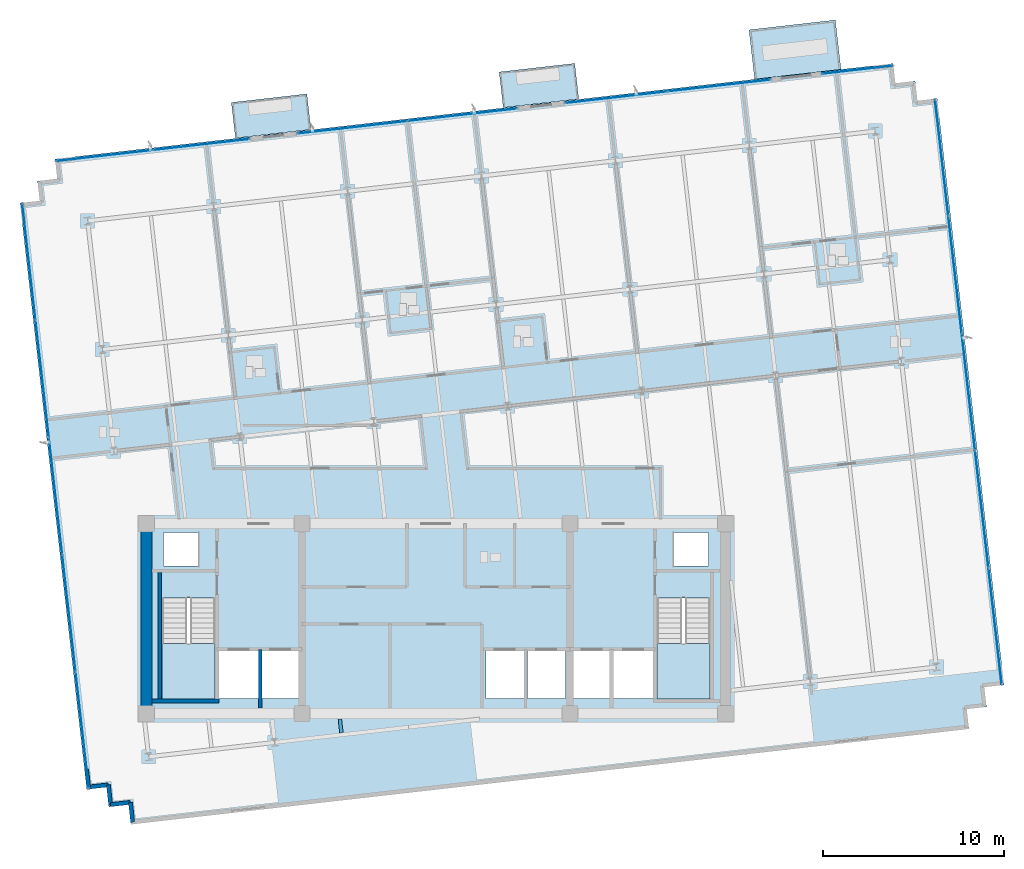
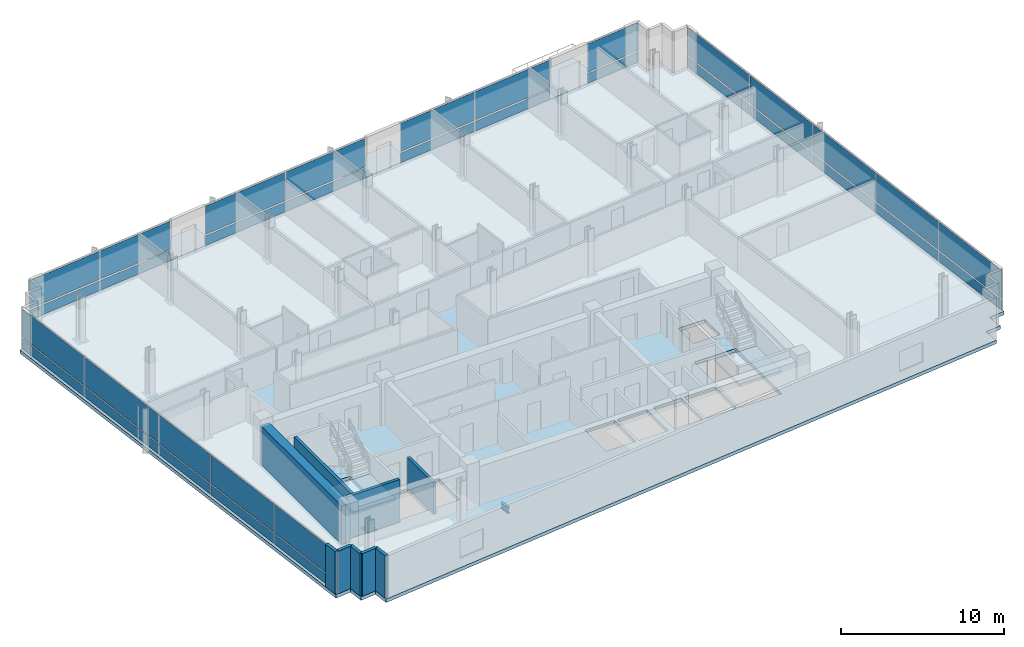
# One storey, part 8 of 16: 34 plates, 9 walls, 6 slabs, 1 beam, 8 elements without a shape of their own.
"""IFC4 building model written with IfcOpenShell, lengths in metres."""

from ifc_helpers import new_model, si_unit, direction, frame, frame_2d, origin, origin_2d, place, context, subcontext, project, spatial, polyline, rectangle, i_section, outline, extrude, material, layer, layer_set, material_profile, profile_set, type_object, element, aggregate, save


model = new_model("IFC4")

# Units and contexts
model_context = context("Model", 3, precision=1e-05, world=origin(), true_north=direction((0.0, 1.0)))
body_context = subcontext(model_context, "Body", "Model", "MODEL_VIEW")
ifc_project = project(units=[si_unit("LENGTHUNIT", "METRE"), si_unit("AREAUNIT", "SQUARE_METRE"), si_unit("VOLUMEUNIT", "CUBIC_METRE"), si_unit("PLANEANGLEUNIT", "RADIAN"), si_unit("MASSUNIT", "GRAM", prefix="KILO")], contexts=[model_context])

# Site, building, storey
site_placement = place(None, origin())
site = spatial("IfcSite", under=ifc_project, at=site_placement, CompositionType="ELEMENT")
building_placement = place(site_placement, origin())
building = spatial("IfcBuilding", under=site, at=building_placement, Name="Solmavex Isthmus Hotel", CompositionType="ELEMENT")
storey_placement = place(building_placement, frame((0.0, 0.0, 215.85009765625)))
storey = spatial("IfcBuildingStorey", under=building, at=storey_placement, Name="L58", CompositionType="ELEMENT", Elevation=215.85009765625)

# Beam
ifc_material_1 = material(Name="Steel ASTM A992 Grade 50", Category="steel")
ifc_material_profile = material_profile(ifc_material_1, i_section(OverallWidth=0.1904296875, OverallDepth=0.456787109375, WebThickness=0.009033203125, FlangeThickness=0.014404296875, FilletRadius=0.0126953125, at=origin_2d()), Name="W18X50")
ifc_profile_set = profile_set([ifc_material_profile], Name="Steel ASTM A992 Grade 50")
beam_type = type_object("IfcBeamType", Name="BM-BJ-W18X50", PredefinedType="JOIST", material=ifc_profile_set)
beam_placement = place(storey_placement, frame((-5.2236328125, -14.05419921875, -0.488525390625), z_axis=(-0.112902470797, 0.993606074905, 0.0), x_axis=(-0.993606074905, -0.112902470797, 0.0)))
element("IfcBeam", 1, at=beam_placement, inside=storey, type_object=beam_type, Name="Secondary Floor Joist L58-J05", PredefinedType="JOIST", context=body_context, shape_type="SweptSolid", body=[
    extrude(i_section(OverallWidth=0.1904296875, OverallDepth=0.456787109375, WebThickness=0.009033203125, FlangeThickness=0.014404296875, FilletRadius=0.0126953125, at=origin_2d()), origin(), (0.0, 0.0, 1.0), 0.759033203125),
])

# Curtain wall, plates
ifc_material_2 = material(Name="Aluminium alloy 6063-T6", Category="aluminium")
curtain_wall_type = type_object("IfcCurtainWallType", Name="CW-SYS-06", PredefinedType="NOTDEFINED", material=ifc_material_2)
curtain_wall_1_placement = place(storey_placement, origin())
curtain_wall_1 = element("IfcCurtainWall", 2, at=curtain_wall_1_placement, inside=storey, type_object=curtain_wall_type, Name="Stick Curtain Wall CWL-L58-N1", PredefinedType="NOTDEFINED")
ifc_material_3 = material(Name="Clear low-E laminated glass", Category="glass")
ifc_layer_1 = layer(ifc_material_3, 0.028076171875)
ifc_layer_set_1 = layer_set([ifc_layer_1], Name="Clear low-E laminated glass")
plate_type = type_object("IfcPlateType", Name="CW-SYS-06-PNL", PredefinedType="CURTAIN_PANEL", material=ifc_layer_set_1)
plate_1_placement = place(storey_placement, frame((-18.32568359375, 17.83251953125, 0.114990234375), z_axis=(0.0, 0.0, 1.0), x_axis=(0.993571901125, 0.113202814871, 0.0)))
plate_1 = element("IfcPlate", 3, at=plate_1_placement, type_object=plate_type, Name="CW-06 panel 1.1", PredefinedType="CURTAIN_PANEL", context=body_context, shape_type="SweptSolid", body=[
    extrude(rectangle(XDim=5.325439453125, YDim=0.028076171875, at=origin_2d()), origin(), (0.0, 0.0, 1.0), 0.7275390625),
])
plate_2_placement = place(storey_placement, frame((-18.32568359375, 17.83251953125, 0.95751953125), z_axis=(0.0, 0.0, 1.0), x_axis=(0.993571901125, 0.113202814871, 0.0)))
plate_2 = element("IfcPlate", 4, at=plate_2_placement, type_object=plate_type, Name="CW-06 panel 1.2", PredefinedType="CURTAIN_PANEL", context=body_context, shape_type="SweptSolid", body=[
    extrude(rectangle(XDim=5.325439453125, YDim=0.028076171875, at=origin_2d()), origin(), (0.0, 0.0, 1.0), 2.117431640625),
])
plate_3_placement = place(storey_placement, frame((-12.974853515625, 18.442138671875, 0.114990234375), z_axis=(0.0, 0.0, 1.0), x_axis=(0.993571901125, 0.113202814871, 0.0)))
plate_3 = element("IfcPlate", 5, at=plate_3_placement, type_object=plate_type, Name="CW-06 panel 2.1", PredefinedType="CURTAIN_PANEL", context=body_context, shape_type="SweptSolid", body=[
    extrude(rectangle(XDim=5.325439453125, YDim=0.028076171875, at=origin_2d()), origin(), (0.0, 0.0, 1.0), 0.7275390625),
])
plate_4_placement = place(storey_placement, frame((-12.974853515625, 18.442138671875, 0.95751953125), z_axis=(0.0, 0.0, 1.0), x_axis=(0.993571901125, 0.113202814871, 0.0)))
plate_4 = element("IfcPlate", 6, at=plate_4_placement, type_object=plate_type, Name="CW-06 panel 2.2", PredefinedType="CURTAIN_PANEL", context=body_context, shape_type="SweptSolid", body=[
    extrude(rectangle(XDim=5.325439453125, YDim=0.028076171875, at=origin_2d()), origin(), (0.0, 0.0, 1.0), 2.117431640625),
])
aggregate(curtain_wall_1, [plate_1, plate_2, plate_3, plate_4])

curtain_wall_2_placement = place(storey_placement, origin())
curtain_wall_2 = element("IfcCurtainWall", 7, at=curtain_wall_2_placement, inside=storey, type_object=curtain_wall_type, Name="Stick Curtain Wall CWL-L58-N2", PredefinedType="NOTDEFINED")
plate_5_placement = place(storey_placement, frame((-4.6181640625, 19.394287109375, 0.114990234375), z_axis=(0.0, 0.0, 1.0), x_axis=(0.993571896348, 0.113202856801, 0.0)))
plate_5 = element("IfcPlate", 8, at=plate_5_placement, type_object=plate_type, Name="CW-06 panel 1.1", PredefinedType="CURTAIN_PANEL", context=body_context, shape_type="SweptSolid", body=[
    extrude(rectangle(XDim=6.055908203125, YDim=0.028076171875, at=origin_2d()), origin(), (0.0, 0.0, 1.0), 0.7275390625),
])
plate_6_placement = place(storey_placement, frame((-4.6181640625, 19.394287109375, 0.95751953125), z_axis=(0.0, 0.0, 1.0), x_axis=(0.993571896348, 0.113202856801, 0.0)))
plate_6 = element("IfcPlate", 9, at=plate_6_placement, type_object=plate_type, Name="CW-06 panel 1.2", PredefinedType="CURTAIN_PANEL", context=body_context, shape_type="SweptSolid", body=[
    extrude(rectangle(XDim=6.055908203125, YDim=0.028076171875, at=origin_2d()), origin(), (0.0, 0.0, 1.0), 2.117431640625),
])
plate_7_placement = place(storey_placement, frame((1.45849609375, 20.086669921875, 0.114990234375), z_axis=(0.0, 0.0, 1.0), x_axis=(0.993571896348, 0.113202856801, 0.0)))
plate_7 = element("IfcPlate", 10, at=plate_7_placement, type_object=plate_type, Name="CW-06 panel 2.1", PredefinedType="CURTAIN_PANEL", context=body_context, shape_type="SweptSolid", body=[
    extrude(rectangle(XDim=6.055908203125, YDim=0.028076171875, at=origin_2d()), origin(), (0.0, 0.0, 1.0), 0.7275390625),
])
plate_8_placement = place(storey_placement, frame((1.45849609375, 20.086669921875, 0.95751953125), z_axis=(0.0, 0.0, 1.0), x_axis=(0.993571896348, 0.113202856801, 0.0)))
plate_8 = element("IfcPlate", 11, at=plate_8_placement, type_object=plate_type, Name="CW-06 panel 2.2", PredefinedType="CURTAIN_PANEL", context=body_context, shape_type="SweptSolid", body=[
    extrude(rectangle(XDim=6.055908203125, YDim=0.028076171875, at=origin_2d()), origin(), (0.0, 0.0, 1.0), 2.117431640625),
])
aggregate(curtain_wall_2, [plate_5, plate_6, plate_7, plate_8])

curtain_wall_3_placement = place(storey_placement, origin())
curtain_wall_3 = element("IfcCurtainWall", 12, at=curtain_wall_3_placement, inside=storey, type_object=curtain_wall_type, Name="Stick Curtain Wall CWL-L58-N3", PredefinedType="NOTDEFINED")
plate_9_placement = place(storey_placement, frame((9.975830078125, 21.056884765625, 0.114990234375), z_axis=(0.0, 0.0, 1.0), x_axis=(0.993571883189, 0.113202972293, 0.0)))
plate_9 = element("IfcPlate", 13, at=plate_9_placement, type_object=plate_type, Name="CW-06 panel 1.1", PredefinedType="CURTAIN_PANEL", context=body_context, shape_type="SweptSolid", body=[
    extrude(rectangle(XDim=5.6484375, YDim=0.028076171875, at=origin_2d()), origin(), (0.0, 0.0, 1.0), 0.7275390625),
])
plate_10_placement = place(storey_placement, frame((9.975830078125, 21.056884765625, 0.95751953125), z_axis=(0.0, 0.0, 1.0), x_axis=(0.993571883189, 0.113202972293, 0.0)))
plate_10 = element("IfcPlate", 14, at=plate_10_placement, type_object=plate_type, Name="CW-06 panel 1.2", PredefinedType="CURTAIN_PANEL", context=body_context, shape_type="SweptSolid", body=[
    extrude(rectangle(XDim=5.6484375, YDim=0.028076171875, at=origin_2d()), origin(), (0.0, 0.0, 1.0), 2.117431640625),
])
plate_11_placement = place(storey_placement, frame((15.6474609375, 21.703125, 0.114990234375), z_axis=(0.0, 0.0, 1.0), x_axis=(0.993571883189, 0.113202972293, 0.0)))
plate_11 = element("IfcPlate", 15, at=plate_11_placement, type_object=plate_type, Name="CW-06 panel 2.1", PredefinedType="CURTAIN_PANEL", context=body_context, shape_type="SweptSolid", body=[
    extrude(rectangle(XDim=5.6484375, YDim=0.028076171875, at=origin_2d()), origin(), (0.0, 0.0, 1.0), 0.7275390625),
])
plate_12_placement = place(storey_placement, frame((15.6474609375, 21.703125, 0.95751953125), z_axis=(0.0, 0.0, 1.0), x_axis=(0.993571883189, 0.113202972293, 0.0)))
plate_12 = element("IfcPlate", 16, at=plate_12_placement, type_object=plate_type, Name="CW-06 panel 2.2", PredefinedType="CURTAIN_PANEL", context=body_context, shape_type="SweptSolid", body=[
    extrude(rectangle(XDim=5.6484375, YDim=0.028076171875, at=origin_2d()), origin(), (0.0, 0.0, 1.0), 2.117431640625),
])
aggregate(curtain_wall_3, [plate_9, plate_10, plate_11, plate_12])

curtain_wall_4_placement = place(storey_placement, origin())
curtain_wall_4 = element("IfcCurtainWall", 17, at=curtain_wall_4_placement, inside=storey, type_object=curtain_wall_type, Name="Stick Curtain Wall CWL-L58-N4", PredefinedType="NOTDEFINED")
plate_13_placement = place(storey_placement, frame((23.282470703125, 22.572998046875, 0.114990234375), z_axis=(0.0, 0.0, 1.0), x_axis=(0.993571663026, 0.113204904629, 0.0)))
plate_13 = element("IfcPlate", 18, at=plate_13_placement, type_object=plate_type, Name="CW-06 panel 1.1", PredefinedType="CURTAIN_PANEL", context=body_context, shape_type="SweptSolid", body=[
    extrude(rectangle(XDim=3.8798828125, YDim=0.028076171875, at=origin_2d()), origin(), (0.0, 0.0, 1.0), 0.7275390625),
])
plate_14_placement = place(storey_placement, frame((23.282470703125, 22.572998046875, 0.95751953125), z_axis=(0.0, 0.0, 1.0), x_axis=(0.993571663026, 0.113204904629, 0.0)))
plate_14 = element("IfcPlate", 19, at=plate_14_placement, type_object=plate_type, Name="CW-06 panel 1.2", PredefinedType="CURTAIN_PANEL", context=body_context, shape_type="SweptSolid", body=[
    extrude(rectangle(XDim=3.8798828125, YDim=0.028076171875, at=origin_2d()), origin(), (0.0, 0.0, 1.0), 2.117431640625),
])
aggregate(curtain_wall_4, [plate_13, plate_14])

curtain_wall_5_placement = place(storey_placement, origin())
curtain_wall_5 = element("IfcCurtainWall", 20, at=curtain_wall_5_placement, inside=storey, type_object=curtain_wall_type, Name="Stick Curtain Wall CWL-L58-W1", PredefinedType="NOTDEFINED")
plate_15_placement = place(storey_placement, frame((-19.54248046875, -13.914306640625, 0.114990234375), z_axis=(0.0, 0.0, 1.0), x_axis=(-0.11320338078, 0.993571836648, 0.0)))
plate_15 = element("IfcPlate", 21, at=plate_15_placement, type_object=plate_type, Name="CW-06 panel 1.1", PredefinedType="CURTAIN_PANEL", context=body_context, shape_type="SweptSolid", body=[
    extrude(rectangle(XDim=6.429931640625, YDim=0.028076171875, at=origin_2d()), origin(), (0.0, 0.0, 1.0), 0.7275390625),
])
plate_16_placement = place(storey_placement, frame((-19.54248046875, -13.914306640625, 0.95751953125), z_axis=(0.0, 0.0, 1.0), x_axis=(-0.11320338078, 0.993571836648, 0.0)))
plate_16 = element("IfcPlate", 22, at=plate_16_placement, type_object=plate_type, Name="CW-06 panel 1.2", PredefinedType="CURTAIN_PANEL", context=body_context, shape_type="SweptSolid", body=[
    extrude(rectangle(XDim=6.429931640625, YDim=0.028076171875, at=origin_2d()), origin(), (0.0, 0.0, 1.0), 2.117431640625),
])
plate_17_placement = place(storey_placement, frame((-20.27880859375, -7.451171875, 0.114990234375), z_axis=(0.0, 0.0, 1.0), x_axis=(-0.11320338078, 0.993571836648, 0.0)))
plate_17 = element("IfcPlate", 23, at=plate_17_placement, type_object=plate_type, Name="CW-06 panel 2.1", PredefinedType="CURTAIN_PANEL", context=body_context, shape_type="SweptSolid", body=[
    extrude(rectangle(XDim=6.4599609375, YDim=0.028076171875, at=origin_2d()), origin(), (0.0, 0.0, 1.0), 0.7275390625),
])
plate_18_placement = place(storey_placement, frame((-20.27880859375, -7.451171875, 0.95751953125), z_axis=(0.0, 0.0, 1.0), x_axis=(-0.11320338078, 0.993571836648, 0.0)))
plate_18 = element("IfcPlate", 24, at=plate_18_placement, type_object=plate_type, Name="CW-06 panel 2.2", PredefinedType="CURTAIN_PANEL", context=body_context, shape_type="SweptSolid", body=[
    extrude(rectangle(XDim=6.4599609375, YDim=0.028076171875, at=origin_2d()), origin(), (0.0, 0.0, 1.0), 2.117431640625),
])
plate_19_placement = place(storey_placement, frame((-21.016845703125, -0.97314453125, 0.114990234375), z_axis=(0.0, 0.0, 1.0), x_axis=(-0.11320338078, 0.993571836648, 0.0)))
plate_19 = element("IfcPlate", 25, at=plate_19_placement, type_object=plate_type, Name="CW-06 panel 3.1", PredefinedType="CURTAIN_PANEL", context=body_context, shape_type="SweptSolid", body=[
    extrude(rectangle(XDim=6.4599609375, YDim=0.028076171875, at=origin_2d()), origin(), (0.0, 0.0, 1.0), 0.7275390625),
])
plate_20_placement = place(storey_placement, frame((-21.016845703125, -0.97314453125, 0.95751953125), z_axis=(0.0, 0.0, 1.0), x_axis=(-0.11320338078, 0.993571836648, 0.0)))
plate_20 = element("IfcPlate", 26, at=plate_20_placement, type_object=plate_type, Name="CW-06 panel 3.2", PredefinedType="CURTAIN_PANEL", context=body_context, shape_type="SweptSolid", body=[
    extrude(rectangle(XDim=6.4599609375, YDim=0.028076171875, at=origin_2d()), origin(), (0.0, 0.0, 1.0), 2.117431640625),
])
plate_21_placement = place(storey_placement, frame((-21.7548828125, 5.5048828125, 0.114990234375), z_axis=(0.0, 0.0, 1.0), x_axis=(-0.11320338078, 0.993571836648, 0.0)))
plate_21 = element("IfcPlate", 27, at=plate_21_placement, type_object=plate_type, Name="CW-06 panel 4.1", PredefinedType="CURTAIN_PANEL", context=body_context, shape_type="SweptSolid", body=[
    extrude(rectangle(XDim=6.4599609375, YDim=0.028076171875, at=origin_2d()), origin(), (0.0, 0.0, 1.0), 0.7275390625),
])
plate_22_placement = place(storey_placement, frame((-21.7548828125, 5.5048828125, 0.95751953125), z_axis=(0.0, 0.0, 1.0), x_axis=(-0.11320338078, 0.993571836648, 0.0)))
plate_22 = element("IfcPlate", 28, at=plate_22_placement, type_object=plate_type, Name="CW-06 panel 4.2", PredefinedType="CURTAIN_PANEL", context=body_context, shape_type="SweptSolid", body=[
    extrude(rectangle(XDim=6.4599609375, YDim=0.028076171875, at=origin_2d()), origin(), (0.0, 0.0, 1.0), 2.117431640625),
])
plate_23_placement = place(storey_placement, frame((-22.4912109375, 11.96826171875, 0.114990234375), z_axis=(0.0, 0.0, 1.0), x_axis=(-0.11320338078, 0.993571836648, 0.0)))
plate_23 = element("IfcPlate", 29, at=plate_23_placement, type_object=plate_type, Name="CW-06 panel 5.1", PredefinedType="CURTAIN_PANEL", context=body_context, shape_type="SweptSolid", body=[
    extrude(rectangle(XDim=6.429931640625, YDim=0.028076171875, at=origin_2d()), origin(), (0.0, 0.0, 1.0), 0.7275390625),
])
plate_24_placement = place(storey_placement, frame((-22.4912109375, 11.96826171875, 0.95751953125), z_axis=(0.0, 0.0, 1.0), x_axis=(-0.11320338078, 0.993571836648, 0.0)))
plate_24 = element("IfcPlate", 30, at=plate_24_placement, type_object=plate_type, Name="CW-06 panel 5.2", PredefinedType="CURTAIN_PANEL", context=body_context, shape_type="SweptSolid", body=[
    extrude(rectangle(XDim=6.429931640625, YDim=0.028076171875, at=origin_2d()), origin(), (0.0, 0.0, 1.0), 2.117431640625),
])
aggregate(curtain_wall_5, [plate_15, plate_16, plate_17, plate_18, plate_19, plate_20, plate_21, plate_22, plate_23, plate_24])

curtain_wall_6_placement = place(storey_placement, origin())
curtain_wall_6 = element("IfcCurtainWall", 31, at=curtain_wall_6_placement, inside=storey, type_object=curtain_wall_type, Name="Stick Curtain Wall CWL-L58-E1", PredefinedType="NOTDEFINED")
plate_25_placement = place(storey_placement, frame((30.891357421875, -8.168212890625, 0.114990234375), z_axis=(0.0, 0.0, 1.0), x_axis=(-0.11320338078, 0.993571836648, 0.0)))
plate_25 = element("IfcPlate", 32, at=plate_25_placement, type_object=plate_type, Name="CW-06 panel 1.1", PredefinedType="CURTAIN_PANEL", context=body_context, shape_type="SweptSolid", body=[
    extrude(rectangle(XDim=6.429931640625, YDim=0.028076171875, at=origin_2d()), origin(), (0.0, 0.0, 1.0), 0.7275390625),
])
plate_26_placement = place(storey_placement, frame((30.891357421875, -8.168212890625, 0.95751953125), z_axis=(0.0, 0.0, 1.0), x_axis=(-0.11320338078, 0.993571836648, 0.0)))
plate_26 = element("IfcPlate", 33, at=plate_26_placement, type_object=plate_type, Name="CW-06 panel 1.2", PredefinedType="CURTAIN_PANEL", context=body_context, shape_type="SweptSolid", body=[
    extrude(rectangle(XDim=6.429931640625, YDim=0.028076171875, at=origin_2d()), origin(), (0.0, 0.0, 1.0), 2.117431640625),
])
plate_27_placement = place(storey_placement, frame((30.155029296875, -1.705078125, 0.114990234375), z_axis=(0.0, 0.0, 1.0), x_axis=(-0.11320338078, 0.993571836648, 0.0)))
plate_27 = element("IfcPlate", 34, at=plate_27_placement, type_object=plate_type, Name="CW-06 panel 2.1", PredefinedType="CURTAIN_PANEL", context=body_context, shape_type="SweptSolid", body=[
    extrude(rectangle(XDim=6.4599609375, YDim=0.028076171875, at=origin_2d()), origin(), (0.0, 0.0, 1.0), 0.7275390625),
])
plate_28_placement = place(storey_placement, frame((30.155029296875, -1.705078125, 0.95751953125), z_axis=(0.0, 0.0, 1.0), x_axis=(-0.11320338078, 0.993571836648, 0.0)))
plate_28 = element("IfcPlate", 35, at=plate_28_placement, type_object=plate_type, Name="CW-06 panel 2.2", PredefinedType="CURTAIN_PANEL", context=body_context, shape_type="SweptSolid", body=[
    extrude(rectangle(XDim=6.4599609375, YDim=0.028076171875, at=origin_2d()), origin(), (0.0, 0.0, 1.0), 2.117431640625),
])
plate_29_placement = place(storey_placement, frame((29.416748046875, 4.773193359375, 0.114990234375), z_axis=(0.0, 0.0, 1.0), x_axis=(-0.11320338078, 0.993571836648, 0.0)))
plate_29 = element("IfcPlate", 36, at=plate_29_placement, type_object=plate_type, Name="CW-06 panel 3.1", PredefinedType="CURTAIN_PANEL", context=body_context, shape_type="SweptSolid", body=[
    extrude(rectangle(XDim=6.4599609375, YDim=0.028076171875, at=origin_2d()), origin(), (0.0, 0.0, 1.0), 0.7275390625),
])
plate_30_placement = place(storey_placement, frame((29.416748046875, 4.773193359375, 0.95751953125), z_axis=(0.0, 0.0, 1.0), x_axis=(-0.11320338078, 0.993571836648, 0.0)))
plate_30 = element("IfcPlate", 37, at=plate_30_placement, type_object=plate_type, Name="CW-06 panel 3.2", PredefinedType="CURTAIN_PANEL", context=body_context, shape_type="SweptSolid", body=[
    extrude(rectangle(XDim=6.4599609375, YDim=0.028076171875, at=origin_2d()), origin(), (0.0, 0.0, 1.0), 2.117431640625),
])
plate_31_placement = place(storey_placement, frame((28.6787109375, 11.251220703125, 0.114990234375), z_axis=(0.0, 0.0, 1.0), x_axis=(-0.11320338078, 0.993571836648, 0.0)))
plate_31 = element("IfcPlate", 38, at=plate_31_placement, type_object=plate_type, Name="CW-06 panel 4.1", PredefinedType="CURTAIN_PANEL", context=body_context, shape_type="SweptSolid", body=[
    extrude(rectangle(XDim=6.4599609375, YDim=0.028076171875, at=origin_2d()), origin(), (0.0, 0.0, 1.0), 0.7275390625),
])
plate_32_placement = place(storey_placement, frame((28.6787109375, 11.251220703125, 0.95751953125), z_axis=(0.0, 0.0, 1.0), x_axis=(-0.11320338078, 0.993571836648, 0.0)))
plate_32 = element("IfcPlate", 39, at=plate_32_placement, type_object=plate_type, Name="CW-06 panel 4.2", PredefinedType="CURTAIN_PANEL", context=body_context, shape_type="SweptSolid", body=[
    extrude(rectangle(XDim=6.4599609375, YDim=0.028076171875, at=origin_2d()), origin(), (0.0, 0.0, 1.0), 2.117431640625),
])
plate_33_placement = place(storey_placement, frame((27.9423828125, 17.71435546875, 0.114990234375), z_axis=(0.0, 0.0, 1.0), x_axis=(-0.11320338078, 0.993571836648, 0.0)))
plate_33 = element("IfcPlate", 40, at=plate_33_placement, type_object=plate_type, Name="CW-06 panel 5.1", PredefinedType="CURTAIN_PANEL", context=body_context, shape_type="SweptSolid", body=[
    extrude(rectangle(XDim=6.429931640625, YDim=0.028076171875, at=origin_2d()), origin(), (0.0, 0.0, 1.0), 0.7275390625),
])
plate_34_placement = place(storey_placement, frame((27.9423828125, 17.71435546875, 0.95751953125), z_axis=(0.0, 0.0, 1.0), x_axis=(-0.11320338078, 0.993571836648, 0.0)))
plate_34 = element("IfcPlate", 41, at=plate_34_placement, type_object=plate_type, Name="CW-06 panel 5.2", PredefinedType="CURTAIN_PANEL", context=body_context, shape_type="SweptSolid", body=[
    extrude(rectangle(XDim=6.429931640625, YDim=0.028076171875, at=origin_2d()), origin(), (0.0, 0.0, 1.0), 2.117431640625),
])
aggregate(curtain_wall_6, [plate_25, plate_26, plate_27, plate_28, plate_29, plate_30, plate_31, plate_32, plate_33, plate_34])

# Slabs
ifc_material_4 = material(Name="Concrete C40/50", Category="concrete")
ifc_layer_2 = layer(ifc_material_4, 0.239990234375)
ifc_layer_set_2 = layer_set([ifc_layer_2], Name="Concrete C40/50")
slab_type_1 = type_object("IfcSlabType", Name="SLAB-BALC-240", PredefinedType="FLOOR", material=ifc_layer_set_2)
slab_1_placement = place(storey_placement, frame((0.0, 0.0, -0.239990234375)))
element("IfcSlab", 42, at=slab_1_placement, inside=storey, type_object=slab_type_1, Name="Tree-Planter Balcony Slab L58-B1", PredefinedType="FLOOR", context=body_context, shape_type="SweptSolid", body=[
    extrude(outline(polyline([(-11.07958984375, 18.7939453125), (-6.90673828125, 19.269287109375), (-7.13134765625, 21.24169921875), (-11.304443359375, 20.76611328125), (-11.07958984375, 18.7939453125)])), origin(), (0.0, 0.0, 1.0), 0.239990234375),
])
slab_2_placement = place(storey_placement, frame((0.0, 0.0, -0.239990234375)))
element("IfcSlab", 43, at=slab_2_placement, inside=storey, type_object=slab_type_1, Name="Tree-Planter Balcony Slab L58-B2", PredefinedType="FLOOR", context=body_context, shape_type="SweptSolid", body=[
    extrude(outline(polyline([(3.716552734375, 20.479736328125), (7.8896484375, 20.955078125), (7.664794921875, 22.927490234375), (3.491943359375, 22.451904296875), (3.716552734375, 20.479736328125)])), origin(), (0.0, 0.0, 1.0), 0.239990234375),
])
ifc_layer_3 = layer(ifc_material_4, 0.260009765625)
ifc_layer_set_3 = layer_set([ifc_layer_3], Name="Concrete C40/50")
slab_type_2 = type_object("IfcSlabType", Name="SLAB-SG-260", PredefinedType="FLOOR", material=ifc_layer_set_3)
slab_3_placement = place(storey_placement, frame((0.0, 0.0, -0.260009765625)))
element("IfcSlab", 44, at=slab_3_placement, inside=storey, type_object=slab_type_2, Name="Sky Garden Terrace Slab SG3 L58", PredefinedType="FLOOR", context=body_context, shape_type="SweptSolid", body=[
    extrude(outline(polyline([(17.60546875, 22.048095703125), (22.37451171875, 22.59130859375), (22.063232421875, 25.32275390625), (17.294189453125, 24.779296875), (17.60546875, 22.048095703125)])), origin(), (0.0, 0.0, 1.0), 0.260009765625),
])
ifc_layer_4 = layer(ifc_material_4, 0.260009765625)
ifc_layer_set_4 = layer_set([ifc_layer_4], Name="Concrete C40/50")
slab_type_3 = type_object("IfcSlabType", Name="SLAB-TYP-260", PredefinedType="FLOOR", material=ifc_layer_set_4)
slab_4_placement = place(storey_placement, frame((0.0, 0.0, -0.260009765625)))
element("IfcSlab", 45, at=slab_4_placement, inside=storey, type_object=slab_type_3, Name="Tower Structural Floor Slab L58", PredefinedType="FLOOR", context=body_context, shape_type="SweptSolid", body=[
    extrude(outline(polyline([(-15.762939453125, -18.994140625), (28.3515625, -13.968017578125), (29.444580078125, -13.843505859375), (29.320068359375, -12.75048828125), (30.412841796875, -12.6259765625), (30.288330078125, -11.532958984375), (31.38134765625, -11.408447265625), (31.2568359375, -10.315673828125), (27.8154296875, 19.888916015625), (27.69091796875, 20.98193359375), (26.597900390625, 20.857421875), (26.473388671875, 21.9501953125), (25.38037109375, 21.82568359375), (25.255859375, 22.918701171875), (24.1630859375, 22.794189453125), (-19.95166015625, 17.76806640625), (-21.04443359375, 17.6435546875), (-20.919921875, 16.550537109375), (-22.012939453125, 16.426025390625), (-21.888427734375, 15.3330078125), (-22.981201171875, 15.20849609375), (-22.856689453125, 14.11572265625), (-19.415283203125, -16.0888671875), (-19.290771484375, -17.181884765625), (-18.197998046875, -17.057373046875), (-18.073486328125, -18.150390625), (-16.98046875, -18.02587890625), (-16.85595703125, -19.11865234375), (-15.762939453125, -18.994140625)]), holes=[polyline([(-15.14990234375, -6.617919921875), (-15.14990234375, -12.199951171875), (-12.199951171875, -12.199951171875), (-12.199951171875, -6.617919921875), (-15.14990234375, -6.617919921875)]), polyline([(12.199951171875, -6.617919921875), (12.199951171875, -12.199951171875), (15.14990234375, -12.199951171875), (15.14990234375, -6.617919921875), (12.199951171875, -6.617919921875)]), polyline([(-12.0, -12.14990234375), (-9.800048828125, -12.14990234375), (-9.800048828125, -9.550048828125), (-12.0, -9.550048828125), (-12.0, -12.14990234375)]), polyline([(9.800048828125, -12.14990234375), (12.0, -12.14990234375), (12.0, -9.550048828125), (9.800048828125, -9.550048828125), (9.800048828125, -12.14990234375)]), polyline([(-9.60009765625, -12.14990234375), (-7.60009765625, -12.14990234375), (-7.60009765625, -9.550048828125), (-9.60009765625, -9.550048828125), (-9.60009765625, -12.14990234375)]), polyline([(7.60009765625, -12.14990234375), (9.60009765625, -12.14990234375), (9.60009765625, -9.550048828125), (7.60009765625, -9.550048828125), (7.60009765625, -12.14990234375)]), polyline([(2.75, -12.14990234375), (4.85009765625, -12.14990234375), (4.85009765625, -9.550048828125), (2.75, -9.550048828125), (2.75, -12.14990234375)]), polyline([(5.050048828125, -12.14990234375), (7.14990234375, -12.14990234375), (7.14990234375, -9.550048828125), (5.050048828125, -9.550048828125), (5.050048828125, -12.14990234375)]), polyline([(-15.050048828125, -4.85009765625), (-13.14990234375, -4.85009765625), (-13.14990234375, -3.0), (-15.050048828125, -3.0), (-15.050048828125, -4.85009765625)]), polyline([(13.14990234375, -4.85009765625), (15.050048828125, -4.85009765625), (15.050048828125, -3.0), (13.14990234375, -3.0), (13.14990234375, -4.85009765625)])]), origin(), (0.0, 0.0, 1.0), 0.260009765625),
])

# Stair, slab
stair_type_1 = type_object("IfcStairType", Name="STR-ST-1", PredefinedType="HALF_TURN_STAIR", material=ifc_material_4)
stair_1_placement = place(storey_placement, origin())
stair_1 = element("IfcStair", 46, at=stair_1_placement, inside=storey, type_object=stair_type_1, Name="L58 Protected Exit Stair ST-1", PredefinedType="HALF_TURN_STAIR")
ifc_layer_5 = layer(ifc_material_4, 0.219970703125)
ifc_layer_set_5 = layer_set([ifc_layer_5], Name="Concrete C40/50")
slab_type_4 = type_object("IfcSlabType", Name="SLD-ST-1", PredefinedType="LANDING", material=ifc_layer_set_5)
slab_5_placement = place(storey_placement, frame((0.0, 0.0, 1.52490234375)))
slab_5 = element("IfcSlab", 47, at=slab_5_placement, type_object=slab_type_4, Name="ST-1 landing 1", PredefinedType="LANDING", context=body_context, shape_type="SweptSolid", body=[
    extrude(outline(polyline([(-15.14990234375, -9.1201171875), (-15.14990234375, -12.199951171875), (-12.199951171875, -12.199951171875), (-12.199951171875, -9.1201171875), (-15.14990234375, -9.1201171875)])), origin(), (0.0, 0.0, 1.0), 0.199951171875),
])
aggregate(stair_1, [slab_5])

stair_type_2 = type_object("IfcStairType", Name="STR-ST-2", PredefinedType="HALF_TURN_STAIR", material=ifc_material_4)
stair_2_placement = place(storey_placement, origin())
stair_2 = element("IfcStair", 48, at=stair_2_placement, inside=storey, type_object=stair_type_2, Name="L58 Protected Exit Stair ST-2", PredefinedType="HALF_TURN_STAIR")
ifc_layer_6 = layer(ifc_material_4, 0.219970703125)
ifc_layer_set_6 = layer_set([ifc_layer_6], Name="Concrete C40/50")
slab_type_5 = type_object("IfcSlabType", Name="SLD-ST-2", PredefinedType="LANDING", material=ifc_layer_set_6)
slab_6_placement = place(storey_placement, frame((0.0, 0.0, 1.52490234375)))
slab_6 = element("IfcSlab", 49, at=slab_6_placement, type_object=slab_type_5, Name="ST-2 landing 1", PredefinedType="LANDING", context=body_context, shape_type="SweptSolid", body=[
    extrude(outline(polyline([(12.199951171875, -9.1201171875), (12.199951171875, -12.199951171875), (15.14990234375, -12.199951171875), (15.14990234375, -9.1201171875), (12.199951171875, -9.1201171875)])), origin(), (0.0, 0.0, 1.0), 0.199951171875),
])
aggregate(stair_2, [slab_6])

# Walls
ifc_material_5 = material(Name="Precast Concrete C40/50", Category="concrete")
ifc_layer_7 = layer(ifc_material_5, 0.25)
ifc_layer_set_7 = layer_set([ifc_layer_7], Name="Precast Concrete C40/50")
wall_type_1 = type_object("IfcWallType", Name="EW-TWR-250", PredefinedType="STANDARD", material=ifc_layer_set_7)
for number, where, z_axis, x_axis, name in (
    (50, (-16.759033203125, -18.9970703125, 0.0), (0.0, 0.0, 1.0), (-0.113183557839, 0.99357409499, 0.0), "Serrated Corner Facade Panel L58-01"),
    (51, (-16.883544921875, -17.904052734375, 0.0), (0.0, 0.0, 1.0), (-0.99357409499, -0.113183557839, 0.0), "Serrated Corner Facade Panel L58-02"),
    (52, (-17.9765625, -18.028564453125, 0.0), (0.0, 0.0, 1.0), (-0.113183557839, 0.99357409499, 0.0), "Serrated Corner Facade Panel L58-03"),
    (53, (-18.10107421875, -16.935546875, 0.0), (0.0, 0.0, 1.0), (-0.99357409499, -0.113183557839, 0.0), "Serrated Corner Facade Panel L58-04"),
):
    element("IfcWall", number, at=place(storey_placement, frame(where, z_axis=z_axis, x_axis=x_axis)), inside=storey, type_object=wall_type_1, Name=name, PredefinedType="STANDARD", context=body_context, shape_type="SweptSolid", body=[
        extrude(rectangle(XDim=1.10009765625, YDim=0.219970703125, at=frame_2d((0.550048828125, 0.0))), origin(), (0.0, 0.0, 1.0), 3.18994140625),
    ])
wall_1_placement = place(storey_placement, frame((-19.194091796875, -17.06005859375, 0.0), z_axis=(0.0, 0.0, 1.0), x_axis=(-0.113191877531, 0.993573147212, 0.0)))
element("IfcWall", 54, at=wall_1_placement, inside=storey, type_object=wall_type_1, Name="Serrated Corner Facade Panel L58-05", PredefinedType="STANDARD", context=body_context, shape_type="SweptSolid", body=[
    extrude(rectangle(XDim=0.989990234375, YDim=0.219970703125, at=frame_2d((0.4951171875, 0.0))), origin(), (0.0, 0.0, 1.0), 3.18994140625),
])
ifc_layer_8 = layer(ifc_material_4, 0.199951171875)
ifc_layer_set_8 = layer_set([ifc_layer_8], Name="Concrete C40/50")
wall_type_2 = type_object("IfcWallType", Name="IW-SHAFT-200", PredefinedType="PARTITIONING", material=ifc_layer_set_8)
wall_2_placement = place(storey_placement, frame((-9.699951171875, -12.699951171875, 0.0), z_axis=(0.0, 0.0, 1.0), x_axis=(0.0, 1.0, 0.0)))
element("IfcWall", 55, at=wall_2_placement, inside=storey, type_object=wall_type_2, Name="Interior Partition Wall W-L58-FFLW-M", PredefinedType="PARTITIONING", context=body_context, shape_type="SweptSolid", body=[
    extrude(rectangle(XDim=3.25, YDim=0.199951171875, at=frame_2d((1.625, 0.0))), origin(), (0.0, 0.0, 1.0), 2.324951171875),
])
ifc_material_6 = material(Name="Concrete C50/60", Category="concrete")
ifc_layer_9 = layer(ifc_material_6, 0.60009765625)
ifc_layer_set_9 = layer_set([ifc_layer_9], Name="Concrete C50/60")
wall_type_3 = type_object("IfcWallType", Name="WALL-CW-600", PredefinedType="SHEAR", material=ifc_layer_set_9)
wall_3_placement = place(storey_placement, frame((-16.0, -12.699951171875, 0.0), z_axis=(0.0, 0.0, 1.0), x_axis=(0.0, 1.0, 0.0)))
element("IfcWall", 56, at=wall_3_placement, inside=storey, type_object=wall_type_3, Name="Core Shear Wall West L58", PredefinedType="SHEAR", context=body_context, shape_type="SweptSolid", body=[
    extrude(rectangle(XDim=9.89990234375, YDim=0.60009765625, at=frame_2d((4.949951171875, 0.0))), origin(), (0.0, 0.0, 1.0), 2.909912109375),
])
ifc_layer_10 = layer(ifc_material_4, 0.199951171875)
ifc_layer_set_10 = layer_set([ifc_layer_10], Name="Concrete C40/50")
wall_type_4 = type_object("IfcWallType", Name="WALL-SW-200", PredefinedType="SOLIDWALL", material=ifc_layer_set_10)
wall_4_placement = place(storey_placement, frame((-15.699951171875, -12.300048828125, 0.0), z_axis=(0.0, 0.0, 1.0), x_axis=(1.0, 0.0, 0.0)))
element("IfcWall", 57, at=wall_4_placement, inside=storey, type_object=wall_type_4, Name="Stairwell Structural Wall SW-L58-ST1-S", PredefinedType="SOLIDWALL", context=body_context, shape_type="SweptSolid", body=[
    extrude(rectangle(XDim=3.699951171875, YDim=0.199951171875, at=frame_2d((1.85009765625, 0.0))), origin(), (0.0, 0.0, 1.0), 3.18994140625),
])
wall_5_placement = place(storey_placement, frame((-15.25, -12.199951171875, 0.0), z_axis=(0.0, 0.0, 1.0), x_axis=(0.0, 1.0, 0.0)))
element("IfcWall", 58, at=wall_5_placement, inside=storey, type_object=wall_type_4, Name="Stairwell Structural Wall SW-L58-ST1-W", PredefinedType="SOLIDWALL", context=body_context, shape_type="SweptSolid", body=[
    extrude(rectangle(XDim=7.0, YDim=0.199951171875, at=frame_2d((3.5, 0.0))), origin(), (0.0, 0.0, 1.0), 3.18994140625),
])

save(model, "model.ifc")
